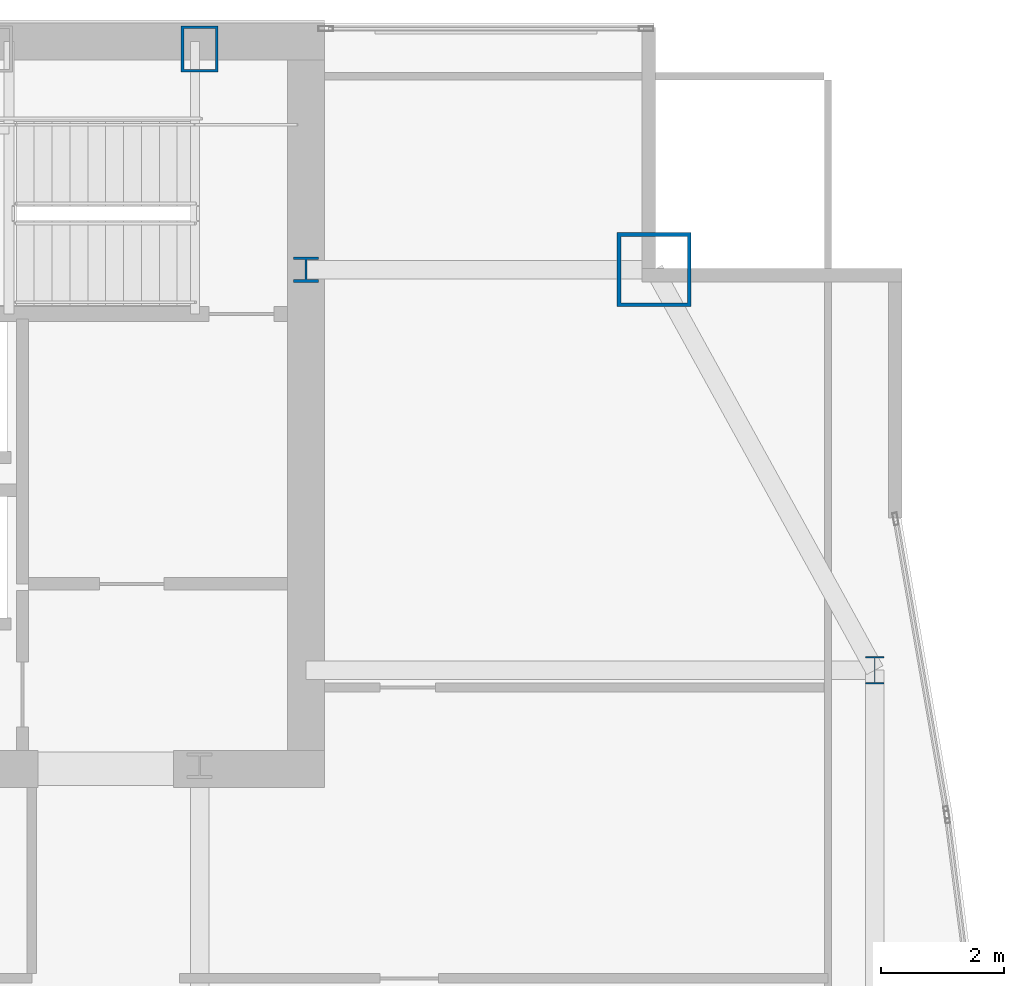
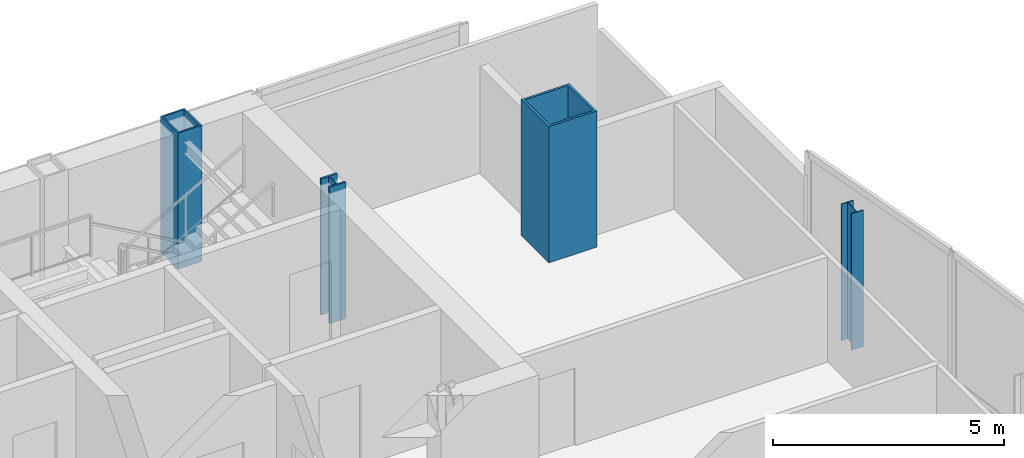
# One storey, part 4 of 30: 4 columns.
"""IFC4 building model written with IfcOpenShell, lengths in metres."""

from ifc_helpers import new_model, si_unit, direction, frame, origin, origin_2d, place, context, subcontext, project, spatial, hollow_rectangle, i_section, extrude, material, material_profile, profile_set, type_object, element, save


model = new_model("IFC4")

# Units and contexts
model_context = context("Model", 3, precision=1e-05, world=origin(), true_north=direction((0.0, 1.0)))
body_context = subcontext(model_context, "Body", "Model", "MODEL_VIEW")
ifc_project = project(units=[si_unit("LENGTHUNIT", "METRE"), si_unit("AREAUNIT", "SQUARE_METRE"), si_unit("VOLUMEUNIT", "CUBIC_METRE"), si_unit("PLANEANGLEUNIT", "RADIAN"), si_unit("MASSUNIT", "GRAM", prefix="KILO")], contexts=[model_context])

# Site, building, storey
site_placement = place(None, origin())
site = spatial("IfcSite", under=ifc_project, at=site_placement, CompositionType="ELEMENT")
building_placement = place(site_placement, origin())
building = spatial("IfcBuilding", under=site, at=building_placement, Name="Khoronbel Lancet Exchange", CompositionType="ELEMENT")
storey_placement = place(building_placement, frame((0.0, 0.0, 224.60009765625)))
storey = spatial("IfcBuildingStorey", under=building, at=storey_placement, Name="L57", CompositionType="ELEMENT", Elevation=224.60009765625)

# Columns
ifc_material_1 = material(Name="Steel S460", Category="steel")
ifc_material_profile_1 = material_profile(ifc_material_1, hollow_rectangle(XDim=0.60009765625, YDim=0.75, WallThickness=0.044921875, at=origin_2d()), Name="BOX 750x600x45")
ifc_profile_set_1 = profile_set([ifc_material_profile_1], Name="Steel S460")
column_type_1 = type_object("IfcColumnType", Name="COL-EC3", PredefinedType="COLUMN", material=ifc_profile_set_1)
column_1_placement = place(storey_placement, frame((54.675048828125, 53.280029296875, 0.0), z_axis=(0.0, 0.0, 1.0), x_axis=(1.0, 0.0, 0.0)))
element("IfcColumn", 1, at=column_1_placement, inside=storey, type_object=column_type_1, Name="Structural column NC-E2 L57", PredefinedType="COLUMN", context=body_context, shape_type="SweptSolid", body=[
    extrude(hollow_rectangle(XDim=0.60009765625, YDim=0.75, WallThickness=0.044921875, at=origin_2d()), origin(), (0.0, 0.0, 1.0), 3.599853515625),
])
ifc_material_2 = material(Name="Steel S355", Category="steel")
ifc_material_profile_2 = material_profile(ifc_material_2, i_section(OverallWidth=0.406005859375, OverallDepth=0.416015625, WebThickness=0.02978515625, FlangeThickness=0.048095703125, at=origin_2d()), Name="HD 400x382")
ifc_profile_set_2 = profile_set([ifc_material_profile_2], Name="Steel S355")
column_type_2 = type_object("IfcColumnType", Name="COL-IC3", PredefinedType="COLUMN", material=ifc_profile_set_2)
column_2_placement = place(storey_placement, frame((56.39990234375, 49.699951171875, 0.0), z_axis=(0.0, 0.0, 1.0), x_axis=(1.0, 0.0, 0.0)))
element("IfcColumn", 2, at=column_2_placement, inside=storey, type_object=column_type_2, Name="Core-flank plumb transfer column CFE L57", PredefinedType="COLUMN", context=body_context, shape_type="SweptSolid", body=[
    extrude(i_section(OverallWidth=0.406005859375, OverallDepth=0.416015625, WebThickness=0.02978515625, FlangeThickness=0.048095703125, at=origin_2d()), origin(), (0.0, 0.0, 1.0), 3.599853515625),
])
ifc_material_profile_3 = material_profile(ifc_material_2, i_section(OverallWidth=0.300048828125, OverallDepth=0.449951171875, WebThickness=0.013916015625, FlangeThickness=0.02587890625, at=origin_2d()), Name="HEB 450")
ifc_profile_set_3 = profile_set([ifc_material_profile_3], Name="Steel S355")
column_type_3 = type_object("IfcColumnType", Name="COL-LC2", PredefinedType="COLUMN", material=ifc_profile_set_3)
column_3_placement = place(storey_placement, frame((65.6298828125, 43.199951171875, 0.0), z_axis=(0.0, 0.0, 1.0), x_axis=(1.0, 0.0, 0.0)))
element("IfcColumn", 3, at=column_3_placement, inside=storey, type_object=column_type_3, Name="Structural column EC-4 L57", PredefinedType="COLUMN", context=body_context, shape_type="SweptSolid", body=[
    extrude(i_section(OverallWidth=0.300048828125, OverallDepth=0.449951171875, WebThickness=0.013916015625, FlangeThickness=0.02587890625, at=origin_2d()), origin(), (0.0, 0.0, 1.0), 3.599853515625),
])
ifc_material_profile_4 = material_profile(ifc_material_1, hollow_rectangle(XDim=1.199951171875, YDim=1.199951171875, WallThickness=0.06005859375, at=origin_2d()), Name="BOX 1200x1200x60")
ifc_profile_set_4 = profile_set([ifc_material_profile_4], Name="Steel S460")
column_type_4 = type_object("IfcColumnType", Name="COL-MC5", PredefinedType="COLUMN", material=ifc_profile_set_4)
column_4_placement = place(storey_placement, frame((62.050048828125, 49.699951171875, 0.0), z_axis=(0.0, 0.0, 1.0), x_axis=(1.0, 0.0, 0.0)))
element("IfcColumn", 4, at=column_4_placement, inside=storey, type_object=column_type_4, Name="Structural column MC-NE L57", PredefinedType="COLUMN", context=body_context, shape_type="SweptSolid", body=[
    extrude(hollow_rectangle(XDim=1.199951171875, YDim=1.199951171875, WallThickness=0.06005859375, at=origin_2d()), origin(), (0.0, 0.0, 1.0), 3.599853515625),
])

save(model, "model.ifc")
